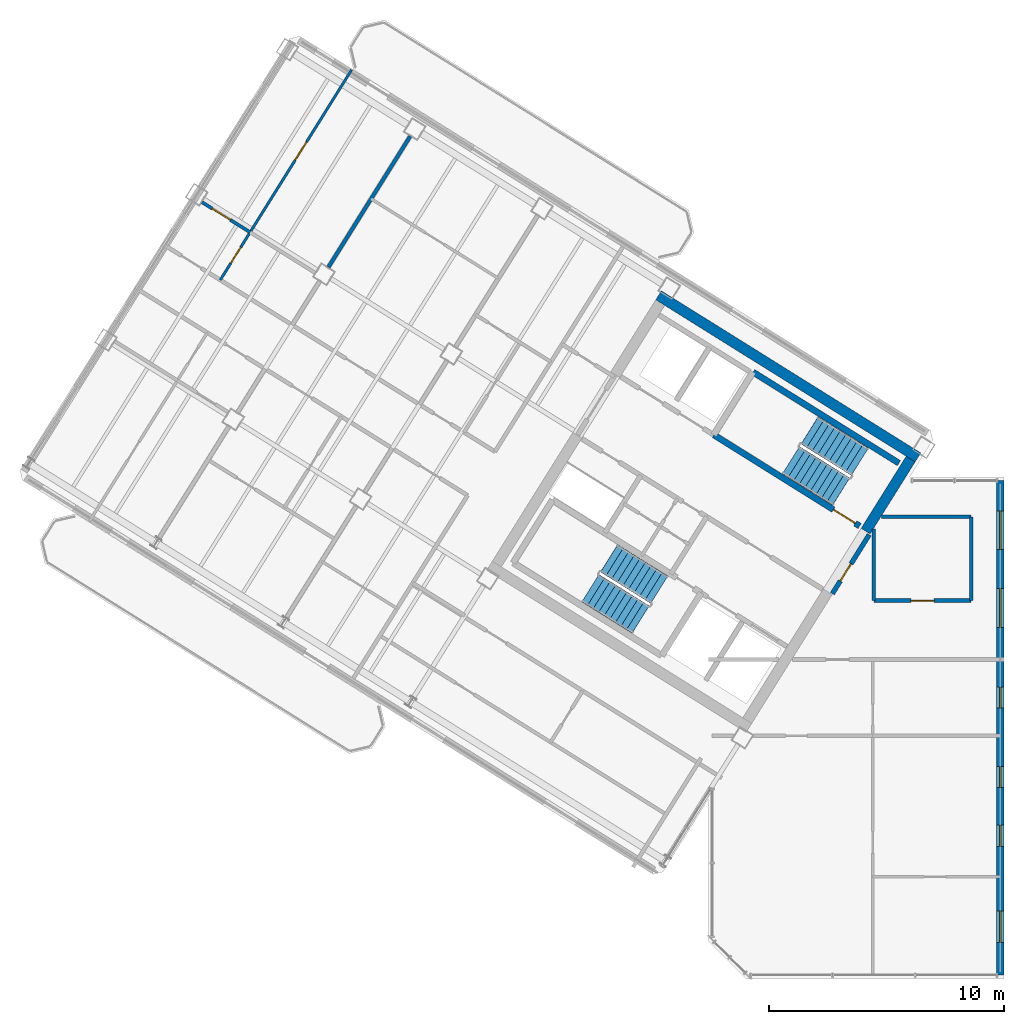
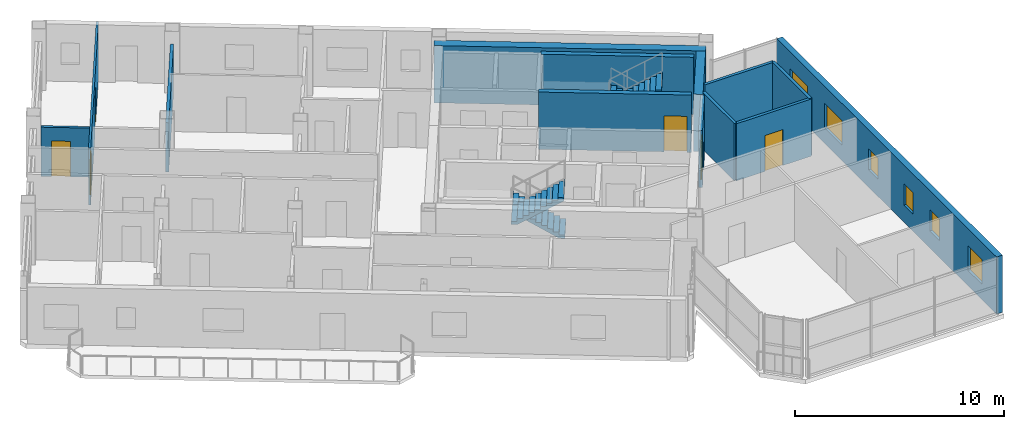
# One storey, part 11 of 17: 13 walls, 6 doors, 6 windows, 4 stair flights, 12 openings, 2 elements without a shape of their own.
"""IFC4 building model written with IfcOpenShell, lengths in metres."""

from ifc_helpers import new_model, si_unit, direction, frame, frame_2d, origin, place, context, subcontext, project, spatial, polyline, rectangle, outline, extrude, source, transform, mapped, material, layer, layer_set, type_object, element, fill, aggregate, save


model = new_model("IFC4")

# Units and contexts
model_context = context("Model", 3, precision=1e-05, world=origin(), true_north=direction((0.0, 1.0)))
body_context = subcontext(model_context, "Body", "Model", "MODEL_VIEW")
ifc_project = project(units=[si_unit("LENGTHUNIT", "METRE"), si_unit("AREAUNIT", "SQUARE_METRE"), si_unit("VOLUMEUNIT", "CUBIC_METRE"), si_unit("PLANEANGLEUNIT", "RADIAN"), si_unit("MASSUNIT", "GRAM", prefix="KILO")], contexts=[model_context])

# Site, building, storey
site_placement = place(None, origin())
site = spatial("IfcSite", under=ifc_project, at=site_placement, CompositionType="ELEMENT")
building_placement = place(site_placement, origin())
building = spatial("IfcBuilding", under=site, at=building_placement, Name="Tlacorven Tower", CompositionType="ELEMENT")
storey_placement = place(building_placement, frame((0.0, 0.0, 270.0)))
storey = spatial("IfcBuildingStorey", under=building, at=storey_placement, Name="L68", CompositionType="ELEMENT", Elevation=270.0)

# Walls
ifc_material_1 = material(Name="Concrete C50/60", Category="concrete")
ifc_layer_1 = layer(ifc_material_1, 0.449951171875)
ifc_layer_set_1 = layer_set([ifc_layer_1], Name="Concrete C50/60")
wall_type_1 = type_object("IfcWallType", Name="WL-COR-450", PredefinedType="SHEAR", material=ifc_layer_set_1)
wall_1_placement = place(storey_placement, frame((40.53076171875, 24.036376953125, 0.0), z_axis=(0.0, 0.0, 1.0), x_axis=(-0.848048787466, 0.529918157905, 0.0)))
element("IfcWall", 1, at=wall_1_placement, inside=storey, type_object=wall_type_1, Name="L68 W core shear wall S1", PredefinedType="SHEAR", context=body_context, shape_type="SweptSolid", body=[
    extrude(rectangle(XDim=13.0400390625, YDim=0.449951171875, at=frame_2d((6.52001953125, 0.0))), origin(), (0.0, 0.0, 1.0), 3.35009765625),
])
wall_2_placement = place(storey_placement, frame((40.220703125, 23.96484375, 0.0), z_axis=(0.0, 0.0, 1.0), x_axis=(-0.529902075036, -0.848058836916, 0.0)))
element("IfcWall", 2, at=wall_2_placement, inside=storey, type_object=wall_type_1, Name="L68 W core end wall E1.1", PredefinedType="SHEAR", context=body_context, shape_type="SweptSolid", body=[
    extrude(rectangle(XDim=3.625, YDim=0.449951171875, at=frame_2d((1.8125, 0.0))), origin(), (0.0, 0.0, 1.0), 3.35009765625),
])
ifc_material_2 = material(Name="Gypsum plasterboard acoustic partition", Category="gypsum")
ifc_layer_2 = layer(ifc_material_2, 0.159912109375)
ifc_layer_set_2 = layer_set([ifc_layer_2], Name="Gypsum plasterboard acoustic partition")
wall_type_2 = type_object("IfcWallType", Name="WL-DEM-160", PredefinedType="PARTITIONING", material=ifc_layer_set_2)
wall_3_placement = place(storey_placement, frame((18.881103515625, 37.727294921875, 0.0), z_axis=(0.0, 0.0, 1.0), x_axis=(-0.529938869374, -0.84803584519, 0.0)))
element("IfcWall", 3, at=wall_3_placement, inside=storey, type_object=wall_type_2, Name="L68 WS Demising Wall 2", PredefinedType="PARTITIONING", context=body_context, shape_type="SweptSolid", body=[
    extrude(rectangle(XDim=6.575927734375, YDim=0.159912109375, at=frame_2d((3.2880859375, 0.0))), origin(), (0.0, 0.0, 1.0), 2.875),
])

# Wall, opening, door
wall_4_placement = place(storey_placement, frame((38.64990234375, 17.929931640625, 0.0), z_axis=(0.0, 0.0, 1.0), x_axis=(1.0, 0.0, 0.0)))
wall_4 = element("IfcWall", 4, at=wall_4_placement, inside=storey, type_object=wall_type_2, Name="L68 partition 53", PredefinedType="PARTITIONING", context=body_context, shape_type="SweptSolid", body=[
    extrude(rectangle(XDim=4.150146484375, YDim=0.159912109375, at=frame_2d((2.0751953125, 0.0))), origin(), (0.0, 0.0, 1.0), 3.340087890625),
])
opening_1_placement = place(wall_4_placement, frame((1.574951171875, 0.0, 0.0)))
opening_1 = element("IfcOpeningElement", 5, at=opening_1_placement, cuts=wall_4, Name="Opening D11", PredefinedType="OPENING", context=body_context, shape_type="SweptSolid", body=[
    extrude(rectangle(XDim=1.0, YDim=2.10009765625, at=frame_2d((0.5, 1.050048828125))), frame((0.0, 0.08984375, 0.0), z_axis=(0.0, -1.0, 0.0), x_axis=(1.0, 0.0, 0.0)), (0.0, 0.0, 1.0), 0.179931640625),
])
ifc_material_3 = material(Name="Fire-rated steel door assembly", Category="steel")
door_type_1 = type_object("IfcDoorType", Name="DR-FLT-FD60-1000", OperationType="NOTDEFINED", PredefinedType="DOOR", material=ifc_material_3)
shared_shape_1 = source(origin(), body_context, "Body", "SweptSolid", [
    extrude(rectangle(XDim=1.0, YDim=2.10009765625, at=frame_2d((0.5, 1.050048828125))), frame((0.0, 0.02490234375, 0.0), z_axis=(0.0, -1.0, 0.0), x_axis=(1.0, 0.0, 0.0)), (0.0, 0.0, 1.0), 0.050048828125),
])
door_1_placement = place(opening_1_placement, origin())
door_1 = element("IfcDoor", 6, at=door_1_placement, inside=storey, type_object=door_type_1, Name="L68 door 038", OperationType="SINGLE_SWING_RIGHT", OverallHeight=2.10009765625, OverallWidth=1.0, PredefinedType="DOOR", context=body_context, shape_type="MappedRepresentation", body=[
    mapped(shared_shape_1, transform((0.0, 0.0, 0.0), scale=1.0)),
])
fill(opening_1, door_1)

# Walls
wall_5_placement = place(storey_placement, frame((38.64990234375, 17.929931640625, 0.0), z_axis=(0.0, 0.0, 1.0), x_axis=(0.0, 1.0, 0.0)))
element("IfcWall", 7, at=wall_5_placement, inside=storey, type_object=wall_type_2, Name="L68 partition 54", PredefinedType="PARTITIONING", context=body_context, shape_type="SweptSolid", body=[
    extrude(rectangle(XDim=3.045654296875, YDim=0.159912109375, at=frame_2d((1.52294921875, 0.0))), origin(), (0.0, 0.0, 1.0), 3.340087890625),
])
wall_6_placement = place(storey_placement, frame((42.800048828125, 17.929931640625, 0.0), z_axis=(0.0, 0.0, 1.0), x_axis=(0.0, 1.0, 0.0)))
element("IfcWall", 8, at=wall_6_placement, inside=storey, type_object=wall_type_2, Name="L68 partition 55", PredefinedType="PARTITIONING", context=body_context, shape_type="SweptSolid", body=[
    extrude(rectangle(XDim=3.570068359375, YDim=0.159912109375, at=frame_2d((1.78515625, 0.0))), origin(), (0.0, 0.0, 1.0), 3.340087890625),
])
wall_7_placement = place(storey_placement, frame((38.9775390625, 21.5, 0.0), z_axis=(0.0, 0.0, 1.0), x_axis=(1.0, 0.0, 0.0)))
element("IfcWall", 9, at=wall_7_placement, inside=storey, type_object=wall_type_2, Name="L68 partition 56", PredefinedType="PARTITIONING", context=body_context, shape_type="SweptSolid", body=[
    extrude(rectangle(XDim=3.822509765625, YDim=0.159912109375, at=frame_2d((1.9111328125, 0.0))), origin(), (0.0, 0.0, 1.0), 3.340087890625),
])

# Wall, openings, windows
ifc_material_4 = material(Name="Precast concrete C45/55", Category="concrete")
ifc_layer_3 = layer(ifc_material_4, 0.320068359375)
ifc_layer_set_3 = layer_set([ifc_layer_3], Name="Precast concrete C45/55")
wall_type_3 = type_object("IfcWallType", Name="WL-EXT-320", PredefinedType="STANDARD", material=ifc_layer_set_3)
wall_8_placement = place(storey_placement, frame((44.0400390625, 23.0400390625, 0.0), z_axis=(0.0, 0.0, 1.0), x_axis=(0.0, -1.0, 0.0)))
wall_8 = element("IfcWall", 10, at=wall_8_placement, inside=storey, type_object=wall_type_3, Name="L68 Masonry-Frame Recessed Facade Wall 1", PredefinedType="STANDARD", context=body_context, shape_type="SweptSolid", body=[
    extrude(rectangle(XDim=21.080078125, YDim=0.320068359375, at=frame_2d((10.5400390625, 0.0))), origin(), (0.0, 0.0, 1.0), 3.35009765625),
])
opening_2_placement = place(wall_8_placement, frame((1.284912109375, 0.0, 0.89990234375)))
opening_2 = element("IfcOpeningElement", 11, at=opening_2_placement, cuts=wall_8, Name="Opening WN07", PredefinedType="OPENING", context=body_context, shape_type="SweptSolid", body=[
    extrude(rectangle(XDim=1.64990234375, YDim=1.449951171875, at=frame_2d((0.824951171875, 0.72509765625))), frame((0.0, 0.169921875, 0.0), z_axis=(0.0, -1.0, 0.0), x_axis=(1.0, 0.0, 0.0)), (0.0, 0.0, 1.0), 0.340087890625),
])
opening_3_placement = place(wall_8_placement, frame((4.60498046875, 0.0, 0.89990234375)))
opening_3 = element("IfcOpeningElement", 12, at=opening_3_placement, cuts=wall_8, Name="Opening WN07", PredefinedType="OPENING", context=body_context, shape_type="SweptSolid", body=[
    extrude(rectangle(XDim=1.64990234375, YDim=1.449951171875, at=frame_2d((0.824951171875, 0.72509765625))), frame((0.0, 0.169921875, 0.0), z_axis=(0.0, -1.0, 0.0), x_axis=(1.0, 0.0, 0.0)), (0.0, 0.0, 1.0), 0.340087890625),
])
opening_4_placement = place(wall_8_placement, frame((8.800048828125, 0.0, 1.0)))
opening_4 = element("IfcOpeningElement", 13, at=opening_4_placement, cuts=wall_8, Name="Opening WN05", PredefinedType="OPENING", context=body_context, shape_type="SweptSolid", body=[
    extrude(rectangle(XDim=0.89990234375, YDim=1.25, at=frame_2d((0.449951171875, 0.625))), frame((0.0, 0.169921875, 0.0), z_axis=(0.0, -1.0, 0.0), x_axis=(1.0, 0.0, 0.0)), (0.0, 0.0, 1.0), 0.340087890625),
])
opening_5_placement = place(wall_8_placement, frame((12.188720703125, 0.0, 1.0)))
opening_5 = element("IfcOpeningElement", 14, at=opening_5_placement, cuts=wall_8, Name="Opening WN05", PredefinedType="OPENING", context=body_context, shape_type="SweptSolid", body=[
    extrude(rectangle(XDim=0.89990234375, YDim=1.25, at=frame_2d((0.449951171875, 0.625))), frame((0.0, 0.169921875, 0.0), z_axis=(0.0, -1.0, 0.0), x_axis=(1.0, 0.0, 0.0)), (0.0, 0.0, 1.0), 0.340087890625),
])
opening_6_placement = place(wall_8_placement, frame((14.686279296875, 0.0, 1.0)))
opening_6 = element("IfcOpeningElement", 15, at=opening_6_placement, cuts=wall_8, Name="Opening WN05", PredefinedType="OPENING", context=body_context, shape_type="SweptSolid", body=[
    extrude(rectangle(XDim=0.89990234375, YDim=1.25, at=frame_2d((0.449951171875, 0.625))), frame((0.0, 0.169921875, 0.0), z_axis=(0.0, -1.0, 0.0), x_axis=(1.0, 0.0, 0.0)), (0.0, 0.0, 1.0), 0.340087890625),
])
opening_7_placement = place(wall_8_placement, frame((18.33740234375, 0.0, 0.89990234375)))
opening_7 = element("IfcOpeningElement", 16, at=opening_7_placement, cuts=wall_8, Name="Opening WN08", PredefinedType="OPENING", context=body_context, shape_type="SweptSolid", body=[
    extrude(rectangle(XDim=1.35009765625, YDim=1.449951171875, at=frame_2d((0.675048828125, 0.72509765625))), frame((0.0, 0.169921875, 0.0), z_axis=(0.0, -1.0, 0.0), x_axis=(1.0, 0.0, 0.0)), (0.0, 0.0, 1.0), 0.340087890625),
])
ifc_material_5 = material(Name="Dark solar low-E double glazing in anodised aluminium frame", Category="aluminium")
window_type_1 = type_object("IfcWindowType", Name="WN-APT-0900X1350", PartitioningType="SINGLE_PANEL", PredefinedType="WINDOW", material=ifc_material_5)
shared_shape_2 = source(origin(), body_context, "Body", "SweptSolid", [
    extrude(rectangle(XDim=0.89990234375, YDim=1.25, at=frame_2d((0.449951171875, 0.625))), frame((0.0, 0.030029296875, 0.0), z_axis=(0.0, -1.0, 0.0), x_axis=(1.0, 0.0, 0.0)), (0.0, 0.0, 1.0), 0.06005859375),
])
window_1_placement = place(opening_4_placement, origin())
window_1 = element("IfcWindow", 17, at=window_1_placement, inside=storey, type_object=window_type_1, Name="L68 Recessed Masonry-Frame Window L68-01.3", OverallHeight=1.25, OverallWidth=0.89990234375, PartitioningType="SINGLE_PANEL", PredefinedType="WINDOW", context=body_context, shape_type="MappedRepresentation", body=[
    mapped(shared_shape_2, transform((0.0, 0.0, 0.0), scale=1.0)),
])
fill(opening_4, window_1)
window_2_placement = place(opening_5_placement, origin())
window_2 = element("IfcWindow", 18, at=window_2_placement, inside=storey, type_object=window_type_1, Name="L68 Recessed Masonry-Frame Window L68-01.4", OverallHeight=1.25, OverallWidth=0.89990234375, PartitioningType="SINGLE_PANEL", PredefinedType="WINDOW", context=body_context, shape_type="MappedRepresentation", body=[
    mapped(shared_shape_2, transform((0.0, 0.0, 0.0), scale=1.0)),
])
fill(opening_5, window_2)
window_3_placement = place(opening_6_placement, origin())
window_3 = element("IfcWindow", 19, at=window_3_placement, inside=storey, type_object=window_type_1, Name="L68 Recessed Masonry-Frame Window L68-01.5", OverallHeight=1.25, OverallWidth=0.89990234375, PartitioningType="SINGLE_PANEL", PredefinedType="WINDOW", context=body_context, shape_type="MappedRepresentation", body=[
    mapped(shared_shape_2, transform((0.0, 0.0, 0.0), scale=1.0)),
])
fill(opening_6, window_3)
window_type_2 = type_object("IfcWindowType", Name="WN-APT-1650X1600", PartitioningType="SINGLE_PANEL", PredefinedType="WINDOW", material=ifc_material_5)
shared_shape_3 = source(origin(), body_context, "Body", "SweptSolid", [
    extrude(rectangle(XDim=1.64990234375, YDim=1.449951171875, at=frame_2d((0.824951171875, 0.72509765625))), frame((0.0, 0.030029296875, 0.0), z_axis=(0.0, -1.0, 0.0), x_axis=(1.0, 0.0, 0.0)), (0.0, 0.0, 1.0), 0.06005859375),
])
window_4_placement = place(opening_2_placement, origin())
window_4 = element("IfcWindow", 20, at=window_4_placement, inside=storey, type_object=window_type_2, Name="L68 Recessed Masonry-Frame Window L68-01.1", OverallHeight=1.449951171875, OverallWidth=1.64990234375, PartitioningType="SINGLE_PANEL", PredefinedType="WINDOW", context=body_context, shape_type="MappedRepresentation", body=[
    mapped(shared_shape_3, transform((0.0, 0.0, 0.0), scale=1.0)),
])
fill(opening_2, window_4)
window_5_placement = place(opening_3_placement, origin())
window_5 = element("IfcWindow", 21, at=window_5_placement, inside=storey, type_object=window_type_2, Name="L68 Recessed Masonry-Frame Window L68-01.2", OverallHeight=1.449951171875, OverallWidth=1.64990234375, PartitioningType="SINGLE_PANEL", PredefinedType="WINDOW", context=body_context, shape_type="MappedRepresentation", body=[
    mapped(shared_shape_3, transform((0.0, 0.0, 0.0), scale=1.0)),
])
fill(opening_3, window_5)
window_type_3 = type_object("IfcWindowType", Name="WN-APT-1350X1550", PartitioningType="SINGLE_PANEL", PredefinedType="WINDOW", material=ifc_material_5)
shared_shape_4 = source(origin(), body_context, "Body", "SweptSolid", [
    extrude(rectangle(XDim=1.35009765625, YDim=1.449951171875, at=frame_2d((0.675048828125, 0.72509765625))), frame((0.0, 0.030029296875, 0.0), z_axis=(0.0, -1.0, 0.0), x_axis=(1.0, 0.0, 0.0)), (0.0, 0.0, 1.0), 0.06005859375),
])
window_6_placement = place(opening_7_placement, origin())
window_6 = element("IfcWindow", 22, at=window_6_placement, inside=storey, type_object=window_type_3, Name="L68 Recessed Masonry-Frame Window L68-01.6", OverallHeight=1.449951171875, OverallWidth=1.35009765625, PartitioningType="SINGLE_PANEL", PredefinedType="WINDOW", context=body_context, shape_type="MappedRepresentation", body=[
    mapped(shared_shape_4, transform((0.0, 0.0, 0.0), scale=1.0)),
])
fill(opening_7, window_6)

# Wall, openings, doors
ifc_material_6 = material(Name="Gypsum plasterboard partition", Category="gypsum")
ifc_layer_4 = layer(ifc_material_6, 0.110107421875)
ifc_layer_set_4 = layer_set([ifc_layer_4], Name="Gypsum plasterboard partition")
wall_type_4 = type_object("IfcWallType", Name="WL-INT-110", PredefinedType="PARTITIONING", material=ifc_layer_set_4)
wall_9_placement = place(storey_placement, frame((16.384521484375, 40.563232421875, 0.0), z_axis=(0.0, 0.0, 1.0), x_axis=(-0.529924195719, -0.848045014602, 0.0)))
wall_9 = element("IfcWall", 23, at=wall_9_placement, inside=storey, type_object=wall_type_4, Name="L68 partition 43", PredefinedType="PARTITIONING", context=body_context, shape_type="SweptSolid", body=[
    extrude(rectangle(XDim=10.570068359375, YDim=0.110107421875, at=frame_2d((5.28515625, 0.0))), origin(), (0.0, 0.0, 1.0), 3.340087890625),
])
opening_8_placement = place(wall_9_placement, frame((8.929931640625, 0.0, 0.0)))
opening_8 = element("IfcOpeningElement", 24, at=opening_8_placement, cuts=wall_9, Name="Opening D22", PredefinedType="OPENING", context=body_context, shape_type="SweptSolid", body=[
    extrude(rectangle(XDim=0.780029296875, YDim=2.050048828125, at=frame_2d((0.39013671875, 1.02490234375))), frame((0.0, 0.06494140625, 0.0), z_axis=(0.0, -1.0, 0.0), x_axis=(1.0, 0.0, 0.0)), (0.0, 0.0, 1.0), 0.130126953125),
])
opening_9_placement = place(wall_9_placement, frame((3.625, 0.0, 0.0)))
opening_9 = element("IfcOpeningElement", 25, at=opening_9_placement, cuts=wall_9, Name="Opening D12", PredefinedType="OPENING", context=body_context, shape_type="SweptSolid", body=[
    extrude(rectangle(XDim=0.919921875, YDim=2.080078125, at=frame_2d((0.4599609375, 1.0400390625))), frame((0.0, 0.06494140625, 0.0), z_axis=(0.0, -1.0, 0.0), x_axis=(1.0, 0.0, 0.0)), (0.0, 0.0, 1.0), 0.130126953125),
])
ifc_material_7 = material(Name="Powder-coated aluminium and timber door", Category="wood")
door_type_2 = type_object("IfcDoorType", Name="DR-INT-WET-0780", OperationType="NOTDEFINED", PredefinedType="DOOR", material=ifc_material_7)
shared_shape_5 = source(origin(), body_context, "Body", "SweptSolid", [
    extrude(rectangle(XDim=0.780029296875, YDim=2.050048828125, at=frame_2d((0.39013671875, 1.02490234375))), frame((0.0, 0.02490234375, 0.0), z_axis=(0.0, -1.0, 0.0), x_axis=(1.0, 0.0, 0.0)), (0.0, 0.0, 1.0), 0.050048828125),
])
door_2_placement = place(opening_8_placement, origin())
door_2 = element("IfcDoor", 26, at=door_2_placement, inside=storey, type_object=door_type_2, Name="L68 door 033", OperationType="SINGLE_SWING_LEFT", OverallHeight=2.050048828125, OverallWidth=0.780029296875, PredefinedType="DOOR", context=body_context, shape_type="MappedRepresentation", body=[
    mapped(shared_shape_5, transform((0.0, 0.0, 0.0), scale=1.0)),
])
fill(opening_8, door_2)
door_type_3 = type_object("IfcDoorType", Name="DR-INT-ROOM-0920", OperationType="NOTDEFINED", PredefinedType="DOOR", material=ifc_material_7)
shared_shape_6 = source(origin(), body_context, "Body", "SweptSolid", [
    extrude(rectangle(XDim=0.919921875, YDim=2.080078125, at=frame_2d((0.4599609375, 1.0400390625))), frame((0.0, 0.02490234375, 0.0), z_axis=(0.0, -1.0, 0.0), x_axis=(1.0, 0.0, 0.0)), (0.0, 0.0, 1.0), 0.050048828125),
])
door_3_placement = place(opening_9_placement, origin())
door_3 = element("IfcDoor", 27, at=door_3_placement, inside=storey, type_object=door_type_3, Name="L68 door 034", OperationType="SINGLE_SWING_RIGHT", OverallHeight=2.080078125, OverallWidth=0.919921875, PredefinedType="DOOR", context=body_context, shape_type="MappedRepresentation", body=[
    mapped(shared_shape_6, transform((0.0, 0.0, 0.0), scale=1.0)),
])
fill(opening_9, door_3)

# Wall, opening, door
ifc_material_8 = material(Name="Moisture-resistant gypsum plumbing wall", Category="gypsum")
ifc_layer_5 = layer(ifc_material_8, 0.139892578125)
ifc_layer_set_5 = layer_set([ifc_layer_5], Name="Moisture-resistant gypsum plumbing wall")
wall_type_5 = type_object("IfcWallType", Name="WL-PLM-140", PredefinedType="PLUMBINGWALL", material=ifc_layer_set_5)
wall_10_placement = place(storey_placement, frame((12.05517578125, 33.634765625, 0.0), z_axis=(0.0, 0.0, 1.0), x_axis=(-0.848089044815, 0.529853727046, 0.0)))
wall_10 = element("IfcWall", 28, at=wall_10_placement, inside=storey, type_object=wall_type_5, Name="L68 partition 45", PredefinedType="PLUMBINGWALL", context=body_context, shape_type="SweptSolid", body=[
    extrude(rectangle(XDim=2.418212890625, YDim=0.139892578125, at=frame_2d((1.208984375, 0.0))), origin(), (0.0, 0.0, 1.0), 2.875),
])
opening_10_placement = place(wall_10_placement, frame((0.989990234375, 0.0, 0.0)))
opening_10 = element("IfcOpeningElement", 29, at=opening_10_placement, cuts=wall_10, Name="Opening D12", PredefinedType="OPENING", context=body_context, shape_type="SweptSolid", body=[
    extrude(rectangle(XDim=0.919921875, YDim=2.080078125, at=frame_2d((0.4599609375, 1.0400390625))), frame((0.0, 0.080078125, 0.0), z_axis=(0.0, -1.0, 0.0), x_axis=(1.0, 0.0, 0.0)), (0.0, 0.0, 1.0), 0.159912109375),
])
door_4_placement = place(opening_10_placement, origin())
door_4 = element("IfcDoor", 30, at=door_4_placement, inside=storey, type_object=door_type_3, Name="L68 door 032", OperationType="SINGLE_SWING_LEFT", OverallHeight=2.080078125, OverallWidth=0.919921875, PredefinedType="DOOR", context=body_context, shape_type="MappedRepresentation", body=[
    mapped(shared_shape_6, transform((0.0, 0.0, 0.0), scale=1.0)),
])
fill(opening_10, door_4)

ifc_material_9 = material(Name="Concrete C40/50", Category="concrete")
ifc_layer_6 = layer(ifc_material_9, 0.199951171875)
ifc_layer_set_6 = layer_set([ifc_layer_6], Name="Concrete C40/50")
wall_type_6 = type_object("IfcWallType", Name="WL-SHF-200", PredefinedType="STANDARD", material=ifc_layer_set_6)
wall_11_placement = place(storey_placement, frame((38.451416015625, 20.737060546875, 0.0), z_axis=(0.0, 0.0, 1.0), x_axis=(-0.529924799939, -0.848044637038, 0.0)))
wall_11 = element("IfcWall", 31, at=wall_11_placement, inside=storey, type_object=wall_type_6, Name="L68 partition 51", PredefinedType="STANDARD", context=body_context, shape_type="SweptSolid", body=[
    extrude(rectangle(XDim=2.9599609375, YDim=0.199951171875, at=frame_2d((1.47998046875, 0.0))), origin(), (0.0, 0.0, 1.0), 3.340087890625),
])
opening_11_placement = place(wall_11_placement, frame((1.4599609375, 0.0, 0.0)))
opening_11 = element("IfcOpeningElement", 32, at=opening_11_placement, cuts=wall_11, Name="Opening D19", PredefinedType="OPENING", context=body_context, shape_type="SweptSolid", body=[
    extrude(rectangle(XDim=0.860107421875, YDim=2.050048828125, at=frame_2d((0.43017578125, 1.02490234375))), frame((0.0, 0.10986328125, 0.0), z_axis=(0.0, -1.0, 0.0), x_axis=(1.0, 0.0, 0.0)), (0.0, 0.0, 1.0), 0.219970703125),
])
door_type_4 = type_object("IfcDoorType", Name="DR-RSR-FD60-0860", OperationType="NOTDEFINED", PredefinedType="DOOR", material=ifc_material_3)
shared_shape_7 = source(origin(), body_context, "Body", "SweptSolid", [
    extrude(rectangle(XDim=0.860107421875, YDim=2.050048828125, at=frame_2d((0.43017578125, 1.02490234375))), frame((0.0, 0.02490234375, 0.0), z_axis=(0.0, -1.0, 0.0), x_axis=(1.0, 0.0, 0.0)), (0.0, 0.0, 1.0), 0.050048828125),
])
door_5_placement = place(opening_11_placement, frame((0.860107421875, 0.0, 0.0), z_axis=(0.0, 0.0, 1.0), x_axis=(-1.0, 0.0, 0.0)))
door_5 = element("IfcDoor", 33, at=door_5_placement, inside=storey, type_object=door_type_4, Name="L68 door 039", OperationType="SINGLE_SWING_LEFT", OverallHeight=2.050048828125, OverallWidth=0.860107421875, PredefinedType="DOOR", context=body_context, shape_type="MappedRepresentation", body=[
    mapped(shared_shape_7, transform((0.0, 0.0, 0.0), scale=1.0)),
])
fill(opening_11, door_5)

# Wall
ifc_layer_7 = layer(ifc_material_1, 0.260009765625)
ifc_layer_set_7 = layer_set([ifc_layer_7], Name="Concrete C50/60")
wall_type_7 = type_object("IfcWallType", Name="WL-STW-260", PredefinedType="SHEAR", material=ifc_layer_set_7)
wall_12_placement = place(storey_placement, frame((39.720947265625, 23.787841796875, 0.0), z_axis=(0.0, 0.0, 1.0), x_axis=(-0.848054434086, 0.529909121291, 0.0)))
element("IfcWall", 34, at=wall_12_placement, inside=storey, type_object=wall_type_7, Name="L68 Stair W2 Far Shear Wall", PredefinedType="SHEAR", context=body_context, shape_type="SweptSolid", body=[
    extrude(rectangle(XDim=7.330078125, YDim=0.260009765625, at=frame_2d((3.6650390625, 0.0))), origin(), (0.0, 0.0, 1.0), 3.35009765625),
])

# Wall, opening, door
wall_13_placement = place(storey_placement, frame((38.04638671875, 21.10791015625, 0.0), z_axis=(0.0, 0.0, 1.0), x_axis=(-0.848054434086, 0.529909121291, 0.0)))
wall_13 = element("IfcWall", 35, at=wall_13_placement, inside=storey, type_object=wall_type_7, Name="L68 Stair W2 Lobby Shear Wall", PredefinedType="SHEAR", context=body_context, shape_type="SweptSolid", body=[
    extrude(rectangle(XDim=7.330078125, YDim=0.260009765625, at=frame_2d((3.6650390625, 0.0))), origin(), (0.0, 0.0, 1.0), 3.35009765625),
])
opening_12_placement = place(wall_13_placement, frame((0.219970703125, 0.0, 0.0)))
opening_12 = element("IfcOpeningElement", 36, at=opening_12_placement, cuts=wall_13, Name="Opening D07", PredefinedType="OPENING", context=body_context, shape_type="SweptSolid", body=[
    extrude(rectangle(XDim=1.10009765625, YDim=2.10009765625, at=frame_2d((0.550048828125, 1.050048828125))), frame((0.0, 0.14013671875, 0.0), z_axis=(0.0, -1.0, 0.0), x_axis=(1.0, 0.0, 0.0)), (0.0, 0.0, 1.0), 0.280029296875),
])
door_type_5 = type_object("IfcDoorType", Name="DR-STR-FD90-1100", OperationType="NOTDEFINED", PredefinedType="DOOR", material=ifc_material_3)
shared_shape_8 = source(origin(), body_context, "Body", "SweptSolid", [
    extrude(rectangle(XDim=1.10009765625, YDim=2.10009765625, at=frame_2d((0.550048828125, 1.050048828125))), frame((0.0, 0.02490234375, 0.0), z_axis=(0.0, -1.0, 0.0), x_axis=(1.0, 0.0, 0.0)), (0.0, 0.0, 1.0), 0.050048828125),
])
door_6_placement = place(opening_12_placement, origin())
door_6 = element("IfcDoor", 37, at=door_6_placement, inside=storey, type_object=door_type_5, Name="L68 Exit Stair W2 Fire Door", OperationType="SINGLE_SWING_LEFT", OverallHeight=2.10009765625, OverallWidth=1.10009765625, PredefinedType="DOOR", context=body_context, shape_type="MappedRepresentation", body=[
    mapped(shared_shape_8, transform((0.0, 0.0, 0.0), scale=1.0)),
])
fill(opening_12, door_6)

# Stair, stair flights
stair_type = type_object("IfcStairType", Name="ST-CORE-DLG", PredefinedType="HALF_TURN_STAIR", material=ifc_material_9)
stair_1_placement = place(storey_placement, origin())
stair_1 = element("IfcStair", 38, at=stair_1_placement, inside=storey, type_object=stair_type, Name="L68 Protected Exit Stair West 1", PredefinedType="HALF_TURN_STAIR")
stair_flight_type = type_object("IfcStairFlightType", Name="SFL-RC-1380", PredefinedType="STRAIGHT", material=ifc_material_9)
shared_shape_9 = source(origin(), body_context, "Body", "SweptSolid", [
    extrude(outline(polyline([(-0.0029296875, -0.0029296875), (-0.0029296875, 0.179931640625), (0.280029296875, 0.179931640625), (0.280029296875, 0.360107421875), (0.56005859375, 0.360107421875), (0.56005859375, 0.5400390625), (0.840087890625, 0.5400390625), (0.840087890625, 0.719970703125), (1.1201171875, 0.719970703125), (1.1201171875, 0.89990234375), (1.39990234375, 0.89990234375), (1.39990234375, 1.080078125), (1.679931640625, 1.080078125), (1.679931640625, 1.260009765625), (1.9599609375, 1.260009765625), (1.9599609375, 1.43994140625), (2.239990234375, 1.43994140625), (2.239990234375, 1.6201171875), (2.52001953125, 1.6201171875), (2.52001953125, 1.800048828125), (2.52294921875, 1.800048828125), (2.52294921875, 1.429931640625), (2.52001953125, 1.429931640625), (0.295654296875, 0.0), (0.295654296875, -0.0029296875), (-0.0029296875, -0.0029296875)])), frame((0.0, 0.68994140625, 0.0), z_axis=(0.0, -1.0, 0.0), x_axis=(1.0, 0.0, 0.0)), (0.0, 0.0, 1.0), 1.3798828125),
])
stair_flight_1_placement = place(storey_placement, frame((29.499755859375, 18.39453125, 0.0), z_axis=(0.0, 0.0, 1.0), x_axis=(-0.848048096156, 0.529919264233, 0.0)))
stair_flight_1 = element("IfcStairFlight", 39, at=stair_flight_1_placement, type_object=stair_flight_type, Name="ST-W1 flight 1", NumberOfRisers=10, NumberOfTreads=9, PredefinedType="STRAIGHT", RiserHeight=0.18, TreadLength=0.28, context=body_context, shape_type="MappedRepresentation", body=[
    mapped(shared_shape_9, transform((0.0, 0.0, 0.0), scale=1.0)),
])
stair_flight_2_placement = place(storey_placement, frame((26.56787109375, 18.4580078125, 1.800048828125), z_axis=(0.0, 0.0, 1.0), x_axis=(0.848048096156, -0.529919264233, 0.0)))
stair_flight_2 = element("IfcStairFlight", 40, at=stair_flight_2_placement, type_object=stair_flight_type, Name="ST-W1 flight 2", NumberOfRisers=10, NumberOfTreads=9, PredefinedType="STRAIGHT", RiserHeight=0.18, TreadLength=0.28, context=body_context, shape_type="MappedRepresentation", body=[
    mapped(shared_shape_9, transform((0.0, 0.0, 0.0), scale=1.0)),
])
aggregate(stair_1, [stair_flight_1, stair_flight_2])

stair_2_placement = place(storey_placement, origin())
stair_2 = element("IfcStair", 41, at=stair_2_placement, inside=storey, type_object=stair_type, Name="L68 Protected Exit Stair West 2", PredefinedType="HALF_TURN_STAIR")
stair_flight_3_placement = place(storey_placement, frame((38.051513671875, 23.852294921875, 0.0), z_axis=(0.0, 0.0, 1.0), x_axis=(-0.848048096156, 0.529919264233, 0.0)))
stair_flight_3 = element("IfcStairFlight", 42, at=stair_flight_3_placement, type_object=stair_flight_type, Name="ST-W2 flight 1", NumberOfRisers=10, NumberOfTreads=9, PredefinedType="STRAIGHT", RiserHeight=0.18, TreadLength=0.28, context=body_context, shape_type="MappedRepresentation", body=[
    mapped(shared_shape_9, transform((0.0, 0.0, 0.0), scale=1.0)),
])
stair_flight_4_placement = place(storey_placement, frame((35.119384765625, 23.91552734375, 1.800048828125), z_axis=(0.0, 0.0, 1.0), x_axis=(0.848048096156, -0.529919264233, 0.0)))
stair_flight_4 = element("IfcStairFlight", 43, at=stair_flight_4_placement, type_object=stair_flight_type, Name="ST-W2 flight 2", NumberOfRisers=10, NumberOfTreads=9, PredefinedType="STRAIGHT", RiserHeight=0.18, TreadLength=0.28, context=body_context, shape_type="MappedRepresentation", body=[
    mapped(shared_shape_9, transform((0.0, 0.0, 0.0), scale=1.0)),
])
aggregate(stair_2, [stair_flight_3, stair_flight_4])

save(model, "model.ifc")
